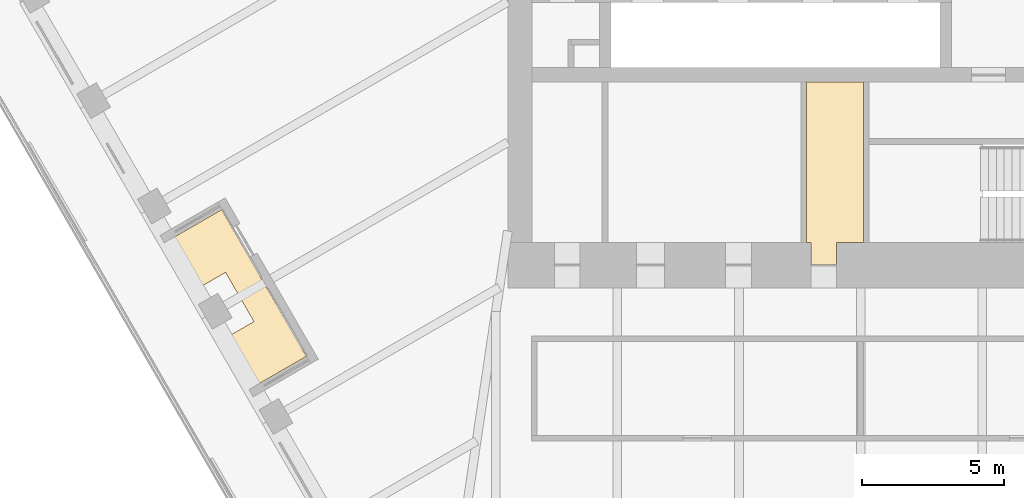
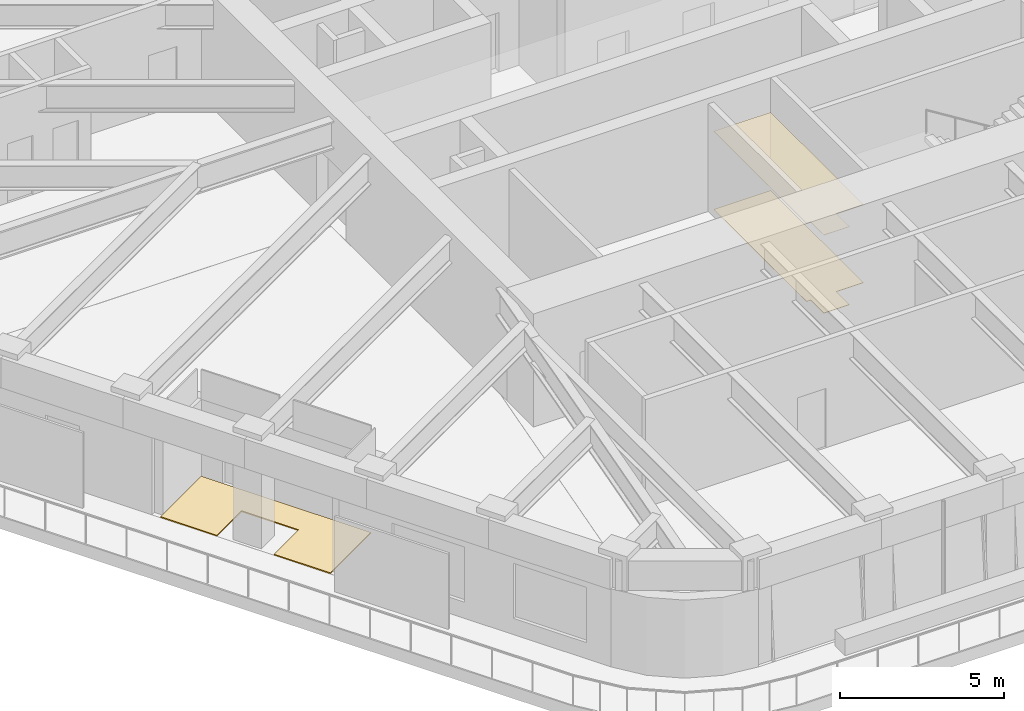
# One storey, part 17 of 19: 3 coverings.
"""IFC4 building model written with IfcOpenShell, lengths in metres."""

from ifc_helpers import new_model, si_unit, direction, frame, origin, place, context, subcontext, project, spatial, polyline, outline, extrude, material, layer, layer_set, type_object, element, save


model = new_model("IFC4")

# Units and contexts
model_context = context("Model", 3, precision=1e-05, world=origin(), true_north=direction((0.0, 1.0)))
body_context = subcontext(model_context, "Body", "Model", "MODEL_VIEW")
ifc_project = project(units=[si_unit("LENGTHUNIT", "METRE"), si_unit("AREAUNIT", "SQUARE_METRE"), si_unit("VOLUMEUNIT", "CUBIC_METRE"), si_unit("PLANEANGLEUNIT", "RADIAN"), si_unit("MASSUNIT", "GRAM", prefix="KILO")], contexts=[model_context])

# Site, building, storey
site_placement = place(None, origin())
site = spatial("IfcSite", under=ifc_project, at=site_placement, CompositionType="ELEMENT")
building_placement = place(site_placement, origin())
building = spatial("IfcBuilding", under=site, at=building_placement, Name="Tarfa Lantern Tower", CompositionType="ELEMENT")
storey_placement = place(building_placement, frame((0.0, 0.0, 349.300048828125)))
storey = spatial("IfcBuildingStorey", under=building, at=storey_placement, Name="L79", CompositionType="ELEMENT", Elevation=349.300048828125)

# Coverings
ifc_material_1 = material(Name="Moisture-resistant plasterboard", Category="finish")
ifc_layer_1 = layer(ifc_material_1, 0.014892578125)
ifc_layer_set_1 = layer_set([ifc_layer_1], Name="CL2 MOISTURE-RESISTANT PLASTERBOARD CEILING 15")
covering_type_1 = type_object("IfcCoveringType", Name="CL2 MOISTURE-RESISTANT PLASTERBOARD CEILING 15", PredefinedType="CEILING", material=ifc_layer_set_1)
covering_1_placement = place(storey_placement, frame((0.0, 0.0, 2.89990234375)))
element("IfcCovering", 1, at=covering_1_placement, inside=storey, type_object=covering_type_1, Name="Ceiling L79-13", PredefinedType="CEILING", context=body_context, shape_type="SweptSolid", body=[
    extrude(outline(polyline([(-0.85009765625, -10.699951171875), (0.10009765625, -10.699951171875), (0.10009765625, -5.050048828125), (-1.89990234375, -5.050048828125), (-1.89990234375, -10.699951171875), (-1.75, -10.699951171875), (-1.75, -11.5), (-1.75, -11.5), (-0.85009765625, -11.5), (-0.85009765625, -10.699951171875)])), origin(), (0.0, 0.0, 1.0), 0.01513671875),
])
ifc_material_2 = material(Name="Porcelain floor tile", Category="finish")
ifc_layer_2 = layer(ifc_material_2, 0.011962890625)
ifc_layer_set_2 = layer_set([ifc_layer_2], Name="FL3 CERAMIC TILE 12")
covering_type_2 = type_object("IfcCoveringType", Name="FL3 CERAMIC TILE 12", PredefinedType="FLOORING", material=ifc_layer_set_2)
covering_2_placement = place(storey_placement, origin())
element("IfcCovering", 2, at=covering_2_placement, inside=storey, type_object=covering_type_2, Name="Floor finish L79-13", PredefinedType="FLOORING", context=body_context, shape_type="SweptSolid", body=[
    extrude(outline(polyline([(-0.85009765625, -10.699951171875), (0.10009765625, -10.699951171875), (0.10009765625, -5.050048828125), (-1.89990234375, -5.050048828125), (-1.89990234375, -10.699951171875), (-1.75, -10.699951171875), (-1.75, -11.5), (-1.75, -11.5), (-0.85009765625, -11.5), (-0.85009765625, -10.699951171875)])), origin(), (0.0, 0.0, 1.0), 0.011962890625),
])
ifc_material_3 = material(Name="Porcelain pavers on pedestals", Category="ceramic")
ifc_layer_3 = layer(ifc_material_3, 0.0400390625)
ifc_layer_set_3 = layer_set([ifc_layer_3], Name="LP1 LOGGIA PAVING 40")
covering_type_3 = type_object("IfcCoveringType", Name="LP1 LOGGIA PAVING 40", PredefinedType="FLOORING", material=ifc_layer_set_3)
covering_3_placement = place(storey_placement, origin())
element("IfcCovering", 3, at=covering_3_placement, inside=storey, type_object=covering_type_3, Name="Terrace paving SW", PredefinedType="FLOORING", context=body_context, shape_type="SweptSolid", body=[
    extrude(outline(polyline([(-24.6572265625, -10.79248046875), (-22.509521484375, -9.552490234375), (-19.52734375, -14.717529296875), (-21.67529296875, -15.95751953125), (-22.666259765625, -14.240966796875), (-21.3671875, -13.490966796875), (-22.3671875, -11.759033203125), (-23.666259765625, -12.509033203125), (-24.6572265625, -10.79248046875)])), origin(), (0.0, 0.0, 1.0), 0.0400390625),
])

save(model, "model.ifc")
